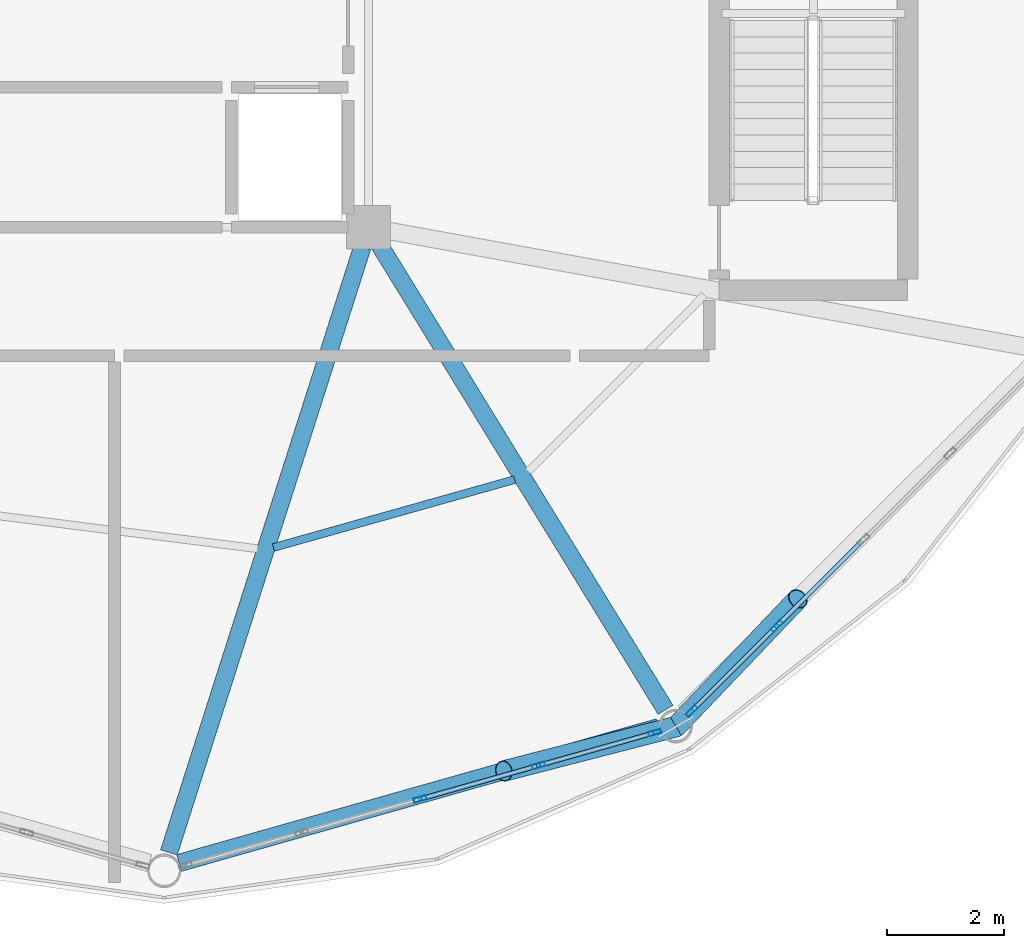
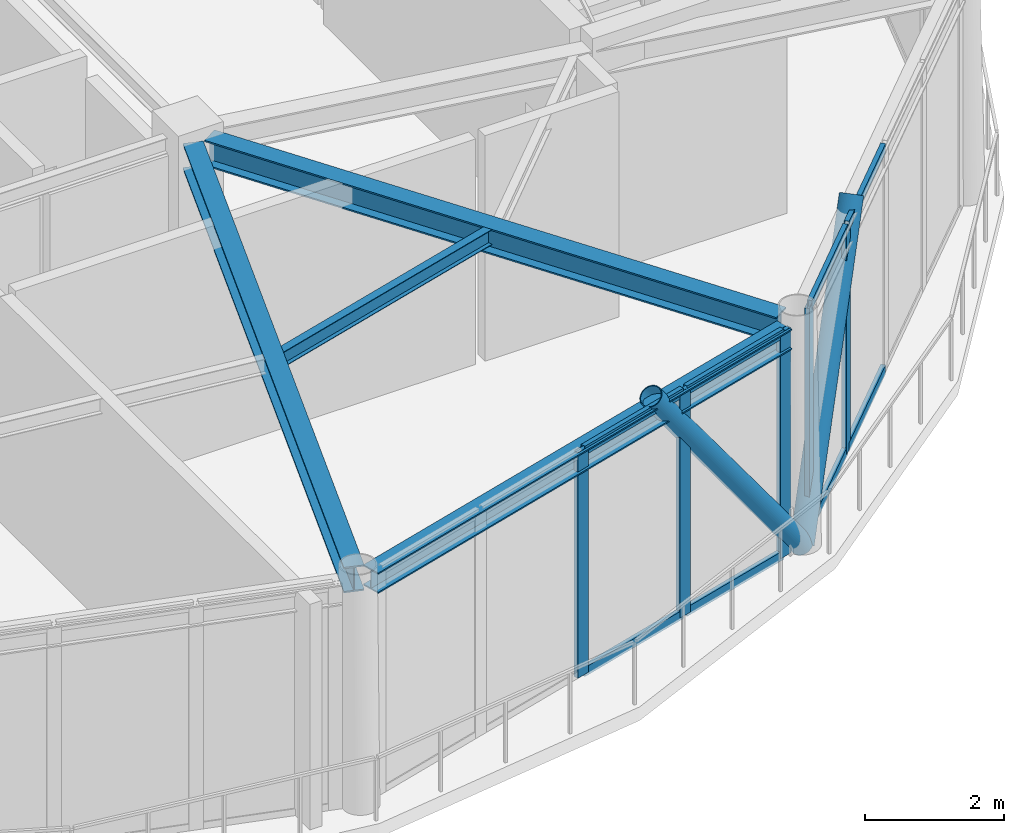
# One storey, part 6 of 21: 15 members, 4 beams, 2 elements without a shape of their own.
"""IFC4 building model written with IfcOpenShell, lengths in metres."""

from ifc_helpers import new_model, si_unit, direction, frame, origin, origin_2d, place, context, subcontext, project, spatial, hollow_rectangle, hollow_circle, i_section, extrude, material, layer, layer_set, material_profile, profile_set, type_object, element, aggregate, save


model = new_model("IFC4")

# Units and contexts
model_context = context("Model", 3, precision=1e-05, world=origin(), true_north=direction((0.0, 1.0)))
body_context = subcontext(model_context, "Body", "Model", "MODEL_VIEW")
ifc_project = project(units=[si_unit("LENGTHUNIT", "METRE"), si_unit("AREAUNIT", "SQUARE_METRE"), si_unit("VOLUMEUNIT", "CUBIC_METRE"), si_unit("PLANEANGLEUNIT", "RADIAN"), si_unit("MASSUNIT", "GRAM", prefix="KILO")], contexts=[model_context])

# Site, building, storey
site_placement = place(None, origin())
site = spatial("IfcSite", under=ifc_project, at=site_placement, CompositionType="ELEMENT")
building_placement = place(site_placement, origin())
building = spatial("IfcBuilding", under=site, at=building_placement, Name="Varnakorn Sky Granary", CompositionType="ELEMENT")
storey_placement = place(building_placement, frame((0.0, 0.0, 294.0)))
storey = spatial("IfcBuildingStorey", under=building, at=storey_placement, Name="L75", CompositionType="ELEMENT", Elevation=294.0)

# Beams
ifc_material_1 = material(Name="Steel S355JR", Category="steel")
ifc_material_profile_1 = material_profile(ifc_material_1, i_section(OverallWidth=0.300048828125, OverallDepth=0.449951171875, WebThickness=0.013916015625, FlangeThickness=0.02587890625, at=origin_2d()), Name="HE 450 B")
ifc_profile_set_1 = profile_set([ifc_material_profile_1], Name="Steel S355JR")
beam_type_1 = type_object("IfcBeamType", Name="BM-RAD-Z5", PredefinedType="BEAM", material=ifc_profile_set_1)
beam_1_placement = place(storey_placement, frame((8.241943359375, -6.938232421875, 3.735107421875), z_axis=(-0.304290546847, -0.95257926867, 0.0), x_axis=(0.95257926867, -0.304290546847, 0.0)))
element("IfcBeam", 1, at=beam_1_placement, inside=storey, type_object=beam_type_1, Name="Radial Floor Girder RG10 L75", PredefinedType="BEAM", context=body_context, shape_type="SweptSolid", body=[
    extrude(i_section(OverallWidth=0.300048828125, OverallDepth=0.449951171875, WebThickness=0.013916015625, FlangeThickness=0.02587890625, at=origin_2d()), origin(), (0.0, 0.0, 1.0), 10.8828125),
])
beam_2_placement = place(storey_placement, frame((8.535888671875, -6.90234375, 3.735107421875), z_axis=(0.52400997542, -0.85171212605, 0.0), x_axis=(0.85171212605, 0.52400997542, 0.0)))
element("IfcBeam", 2, at=beam_2_placement, inside=storey, type_object=beam_type_1, Name="Radial Floor Girder RG11 L75", PredefinedType="BEAM", context=body_context, shape_type="SweptSolid", body=[
    extrude(i_section(OverallWidth=0.300048828125, OverallDepth=0.449951171875, WebThickness=0.013916015625, FlangeThickness=0.02587890625, at=origin_2d()), origin(), (0.0, 0.0, 1.0), 9.34619140625),
])
ifc_material_profile_2 = material_profile(ifc_material_1, i_section(OverallWidth=0.135009765625, OverallDepth=0.27001953125, WebThickness=0.006591796875, FlangeThickness=0.01025390625, at=origin_2d()), Name="IPE 270")
ifc_profile_set_2 = profile_set([ifc_material_profile_2], Name="Steel S355JR")
beam_type_2 = type_object("IfcBeamType", Name="BM-SEC-Z5", PredefinedType="BEAM", material=ifc_profile_set_2)
beam_3_placement = place(storey_placement, frame((6.720947265625, -12.08349609375, 3.824951171875), z_axis=(0.962539605015, 0.271141123362, 0.0), x_axis=(-0.271141123362, 0.962539605015, 0.0)))
element("IfcBeam", 3, at=beam_3_placement, inside=storey, type_object=beam_type_2, Name="Secondary Floor Chord Beam MSB10 L75", PredefinedType="BEAM", context=body_context, shape_type="SweptSolid", body=[
    extrude(i_section(OverallWidth=0.135009765625, OverallDepth=0.27001953125, WebThickness=0.006591796875, FlangeThickness=0.01025390625, at=origin_2d()), origin(), (0.0, 0.0, 1.0), 4.28955078125),
])
ifc_material_profile_3 = material_profile(ifc_material_1, i_section(OverallWidth=0.300048828125, OverallDepth=0.360107421875, WebThickness=0.012451171875, FlangeThickness=0.0224609375, at=origin_2d()), Name="HE 360 B")
ifc_profile_set_3 = profile_set([ifc_material_profile_3], Name="Steel S355JR")
beam_type_3 = type_object("IfcBeamType", Name="BM-SPD-Z5", PredefinedType="SPANDREL", material=ifc_profile_set_3)
beam_4_placement = place(storey_placement, frame((5.1044921875, -17.485107421875, 3.780029296875), z_axis=(0.962181719653, 0.272408403626, 0.0), x_axis=(-0.272408403626, 0.962181719653, 0.0)))
element("IfcBeam", 4, at=beam_4_placement, inside=storey, type_object=beam_type_3, Name="Perimeter Spandrel Ring Beam RB10 L75", PredefinedType="SPANDREL", context=body_context, shape_type="SweptSolid", body=[
    extrude(i_section(OverallWidth=0.300048828125, OverallDepth=0.360107421875, WebThickness=0.012451171875, FlangeThickness=0.0224609375, at=origin_2d()), origin(), (0.0, 0.0, 1.0), 8.53564453125),
])

# Curtain wall, members
ifc_material_2 = material(Name="Anodised Bronze Aluminium Alloy 6063-T6", Category="aluminium")
ifc_layer = layer(ifc_material_2, 0.22998046875, Name="Anodised Bronze Aluminium Alloy 6063-T6")
ifc_layer_set = layer_set([ifc_layer], Name="Anodised Bronze Aluminium Alloy 6063-T6")
curtain_wall_type = type_object("IfcCurtainWallType", Name="CW-LNT-1", PredefinedType="USERDEFINED", material=ifc_layer_set)
curtain_wall_1_placement = place(storey_placement, origin())
curtain_wall_1 = element("IfcCurtainWall", 5, at=curtain_wall_1_placement, inside=storey, type_object=curtain_wall_type, Name="Unitised Curtain Wall CW7 CW-L75-B10", ObjectType="CURTAIN WALL", PredefinedType="USERDEFINED")
ifc_material_profile_4 = material_profile(ifc_material_2, hollow_rectangle(XDim=0.074951171875, YDim=0.219970703125, WallThickness=0.00390625, at=origin_2d()), Name="ALU MULL 75x220")
ifc_profile_set_4 = profile_set([ifc_material_profile_4], Name="Anodised Bronze Aluminium Alloy 6063-T6")
member_type_1 = type_object("IfcMemberType", Name="CW-LNT-1-MULL", PredefinedType="MULLION", material=ifc_profile_set_4)
member_1_placement = place(storey_placement, frame((13.251708984375, -15.252685546875, 0.0), z_axis=(0.0, 0.0, 1.0), x_axis=(0.272147344542, -0.962255591233, 0.0)))
member_1 = element("IfcMember", 6, at=member_1_placement, type_object=member_type_1, Name="CW7 mullion 1", PredefinedType="MULLION", context=body_context, shape_type="SweptSolid", body=[
    extrude(hollow_rectangle(XDim=0.074951171875, YDim=0.219970703125, WallThickness=0.00390625, at=origin_2d()), origin(), (0.0, 0.0, 1.0), 3.9599609375),
])
member_2_placement = place(storey_placement, frame((11.260009765625, -15.816162109375, 0.0), z_axis=(0.0, 0.0, 1.0), x_axis=(0.272147344542, -0.962255591233, 0.0)))
member_2 = element("IfcMember", 7, at=member_2_placement, type_object=member_type_1, Name="CW7 mullion 2", PredefinedType="MULLION", context=body_context, shape_type="SweptSolid", body=[
    extrude(hollow_rectangle(XDim=0.074951171875, YDim=0.219970703125, WallThickness=0.00390625, at=origin_2d()), origin(), (0.0, 0.0, 1.0), 3.9599609375),
])
member_3_placement = place(storey_placement, frame((9.232177734375, -16.3896484375, 0.0), z_axis=(0.0, 0.0, 1.0), x_axis=(0.272147344542, -0.962255591233, 0.0)))
member_3 = element("IfcMember", 8, at=member_3_placement, type_object=member_type_1, Name="CW7 mullion 3", PredefinedType="MULLION", context=body_context, shape_type="SweptSolid", body=[
    extrude(hollow_rectangle(XDim=0.074951171875, YDim=0.219970703125, WallThickness=0.00390625, at=origin_2d()), origin(), (0.0, 0.0, 1.0), 3.9599609375),
])

curtain_wall_2_placement = place(storey_placement, origin())
curtain_wall_2 = element("IfcCurtainWall", 9, at=curtain_wall_2_placement, inside=storey, type_object=curtain_wall_type, Name="Unitised Curtain Wall CW7 CW-L75-B11", ObjectType="CURTAIN WALL", PredefinedType="USERDEFINED")
member_4_placement = place(storey_placement, frame((15.338623046875, -13.429443359375, 0.0), z_axis=(0.0, 0.0, 1.0), x_axis=(0.706396880071, -0.70781597031, 0.0)))
member_4 = element("IfcMember", 10, at=member_4_placement, type_object=member_type_1, Name="CW7 mullion 4", PredefinedType="MULLION", context=body_context, shape_type="SweptSolid", body=[
    extrude(hollow_rectangle(XDim=0.074951171875, YDim=0.219970703125, WallThickness=0.00390625, at=origin_2d()), origin(), (0.0, 0.0, 1.0), 3.9599609375),
])
member_5_placement = place(storey_placement, frame((13.88134765625, -14.8837890625, 0.0), z_axis=(0.0, 0.0, 1.0), x_axis=(0.706396880071, -0.70781597031, 0.0)))
member_5 = element("IfcMember", 11, at=member_5_placement, type_object=member_type_1, Name="CW7 mullion 5", PredefinedType="MULLION", context=body_context, shape_type="SweptSolid", body=[
    extrude(hollow_rectangle(XDim=0.074951171875, YDim=0.219970703125, WallThickness=0.00390625, at=origin_2d()), origin(), (0.0, 0.0, 1.0), 3.9599609375),
])

# Member
ifc_material_profile_5 = material_profile(ifc_material_2, hollow_rectangle(XDim=0.074951171875, YDim=0.159912109375, WallThickness=0.00390625, at=origin_2d()), Name="ALU TRAN 75x160")
ifc_profile_set_5 = profile_set([ifc_material_profile_5], Name="Anodised Bronze Aluminium Alloy 6063-T6")
member_type_2 = type_object("IfcMemberType", Name="CW-LNT-1-TRAN", PredefinedType="USERDEFINED", material=ifc_profile_set_5)
member_6_placement = place(storey_placement, frame((13.215576171875, -15.262939453125, 0.03759765625), z_axis=(-0.962241133586, -0.272198458547, 0.0), x_axis=(0.272198458547, -0.962241133586, 0.0)))
member_6 = element("IfcMember", 12, at=member_6_placement, type_object=member_type_2, Name="CW7 transom 1.1", ObjectType="TRANSOM", PredefinedType="USERDEFINED", context=body_context, shape_type="SweptSolid", body=[
    extrude(hollow_rectangle(XDim=0.074951171875, YDim=0.159912109375, WallThickness=0.00390625, at=origin_2d()), origin(), (0.0, 0.0, 1.0), 1.994873046875),
])

member_7_placement = place(storey_placement, frame((13.215576171875, -15.262939453125, 3.922607421875), z_axis=(-0.962241133586, -0.272198458547, 0.0), x_axis=(0.272198458547, -0.962241133586, 0.0)))
member_7 = element("IfcMember", 13, at=member_7_placement, type_object=member_type_2, Name="CW7 transom 1.2", ObjectType="TRANSOM", PredefinedType="USERDEFINED", context=body_context, shape_type="SweptSolid", body=[
    extrude(hollow_rectangle(XDim=0.074951171875, YDim=0.159912109375, WallThickness=0.00390625, at=origin_2d()), origin(), (0.0, 0.0, 1.0), 1.994873046875),
])

member_8_placement = place(storey_placement, frame((11.223876953125, -15.826416015625, 0.03759765625), z_axis=(-0.962268383835, -0.272102108538, 0.0), x_axis=(0.272102108538, -0.962268383835, 0.0)))
member_8 = element("IfcMember", 14, at=member_8_placement, type_object=member_type_2, Name="CW7 transom 2.1", ObjectType="TRANSOM", PredefinedType="USERDEFINED", context=body_context, shape_type="SweptSolid", body=[
    extrude(hollow_rectangle(XDim=0.074951171875, YDim=0.159912109375, WallThickness=0.00390625, at=origin_2d()), origin(), (0.0, 0.0, 1.0), 2.0322265625),
])

member_9_placement = place(storey_placement, frame((11.223876953125, -15.826416015625, 3.922607421875), z_axis=(-0.962268383835, -0.272102108538, 0.0), x_axis=(0.272102108538, -0.962268383835, 0.0)))
member_9 = element("IfcMember", 15, at=member_9_placement, type_object=member_type_2, Name="CW7 transom 2.2", ObjectType="TRANSOM", PredefinedType="USERDEFINED", context=body_context, shape_type="SweptSolid", body=[
    extrude(hollow_rectangle(XDim=0.074951171875, YDim=0.159912109375, WallThickness=0.00390625, at=origin_2d()), origin(), (0.0, 0.0, 1.0), 2.0322265625),
])

aggregate(curtain_wall_1, [member_1, member_2, member_3, member_6, member_7, member_8, member_9])

member_10_placement = place(storey_placement, frame((16.7958984375, -11.97509765625, 0.03759765625), z_axis=(-0.707770759115, -0.706442179192, 0.0), x_axis=(0.706442179192, -0.707770759115, 0.0)))
member_10 = element("IfcMember", 16, at=member_10_placement, type_object=member_type_2, Name="CW7 transom 3.1", ObjectType="TRANSOM", PredefinedType="USERDEFINED", context=body_context, shape_type="SweptSolid", body=[
    extrude(hollow_rectangle(XDim=0.074951171875, YDim=0.159912109375, WallThickness=0.00390625, at=origin_2d()), origin(), (0.0, 0.0, 1.0), 2.021484375),
])

member_11_placement = place(storey_placement, frame((16.7958984375, -11.97509765625, 3.922607421875), z_axis=(-0.707770759115, -0.706442179192, 0.0), x_axis=(0.706442179192, -0.707770759115, 0.0)))
member_11 = element("IfcMember", 17, at=member_11_placement, type_object=member_type_2, Name="CW7 transom 3.2", ObjectType="TRANSOM", PredefinedType="USERDEFINED", context=body_context, shape_type="SweptSolid", body=[
    extrude(hollow_rectangle(XDim=0.074951171875, YDim=0.159912109375, WallThickness=0.00390625, at=origin_2d()), origin(), (0.0, 0.0, 1.0), 2.021484375),
])

member_12_placement = place(storey_placement, frame((15.31201171875, -13.4560546875, 0.03759765625), z_axis=(-0.707783349642, -0.706429564762, 0.0), x_axis=(0.706429564762, -0.707783349642, 0.0)))
member_12 = element("IfcMember", 18, at=member_12_placement, type_object=member_type_2, Name="CW7 transom 4.1", ObjectType="TRANSOM", PredefinedType="USERDEFINED", context=body_context, shape_type="SweptSolid", body=[
    extrude(hollow_rectangle(XDim=0.074951171875, YDim=0.159912109375, WallThickness=0.00390625, at=origin_2d()), origin(), (0.0, 0.0, 1.0), 1.983642578125),
])

member_13_placement = place(storey_placement, frame((15.31201171875, -13.4560546875, 3.922607421875), z_axis=(-0.707783349642, -0.706429564762, 0.0), x_axis=(0.706429564762, -0.707783349642, 0.0)))
member_13 = element("IfcMember", 19, at=member_13_placement, type_object=member_type_2, Name="CW7 transom 4.2", ObjectType="TRANSOM", PredefinedType="USERDEFINED", context=body_context, shape_type="SweptSolid", body=[
    extrude(hollow_rectangle(XDim=0.074951171875, YDim=0.159912109375, WallThickness=0.00390625, at=origin_2d()), origin(), (0.0, 0.0, 1.0), 1.983642578125),
])

aggregate(curtain_wall_2, [member_4, member_5, member_10, member_11, member_12, member_13])

# Members
ifc_material_3 = material(Name="Steel S460M", Category="steel")
ifc_material_profile_6 = material_profile(ifc_material_3, hollow_circle(Radius=0.177734375, WallThickness=0.01416015625, at=origin_2d()), Name="CHS 355.6x14")
ifc_profile_set_6 = profile_set([ifc_material_profile_6], Name="Steel S460M")
member_type_3 = type_object("IfcMemberType", Name="MB-DIAG-T5", PredefinedType="BRACE", material=ifc_profile_set_6)
member_14_placement = place(storey_placement, frame((13.614501953125, -15.150146484375, 0.0), z_axis=(-0.578392616249, -0.149169954663, 0.80200393147), x_axis=(0.249732581906, -0.968314844219, 0.0)))
element("IfcMember", 20, at=member_14_placement, inside=storey, type_object=member_type_3, Name="Perimeter CHS Diagrid Brace DG10 L75", PredefinedType="BRACE", context=body_context, shape_type="SweptSolid", body=[
    extrude(hollow_circle(Radius=0.177734375, WallThickness=0.01416015625, at=origin_2d()), origin(), (0.0, 0.0, 1.0), 5.099853515625),
])
member_15_placement = place(storey_placement, frame((13.614501953125, -15.150146484375, 0.0), z_axis=(0.410102930209, 0.430168835023, 0.804220342946), x_axis=(-0.723786325921, 0.690024169439, 0.0)))
element("IfcMember", 21, at=member_15_placement, inside=storey, type_object=member_type_3, Name="Perimeter CHS Diagrid Brace DG11 L75", PredefinedType="BRACE", context=body_context, shape_type="SweptSolid", body=[
    extrude(hollow_circle(Radius=0.177734375, WallThickness=0.01416015625, at=origin_2d()), origin(), (0.0, 0.0, 1.0), 5.085693359375),
])

save(model, "model.ifc")
